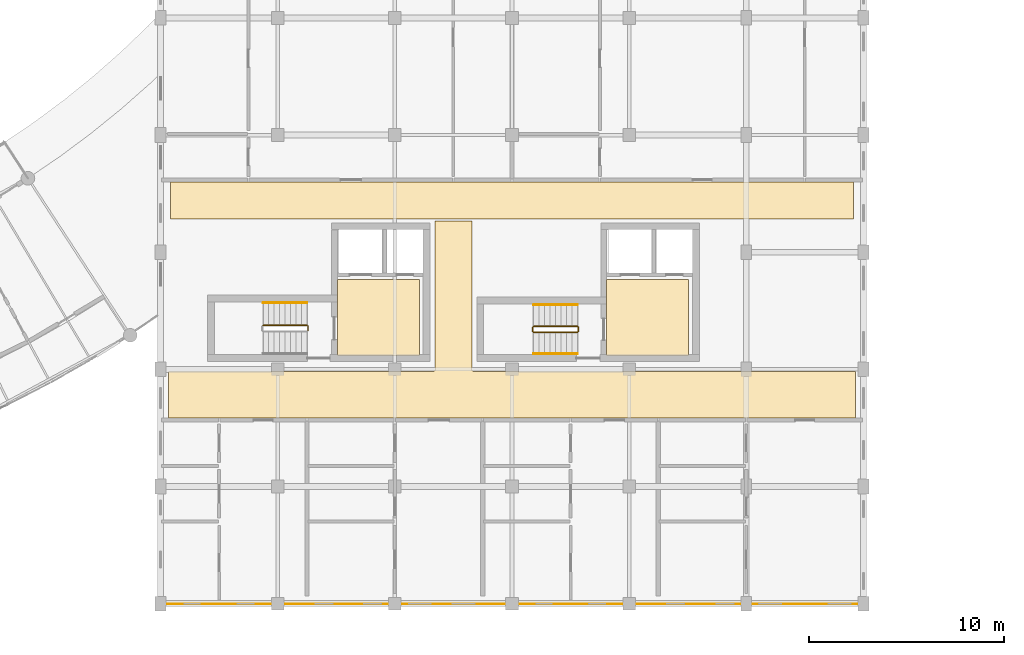
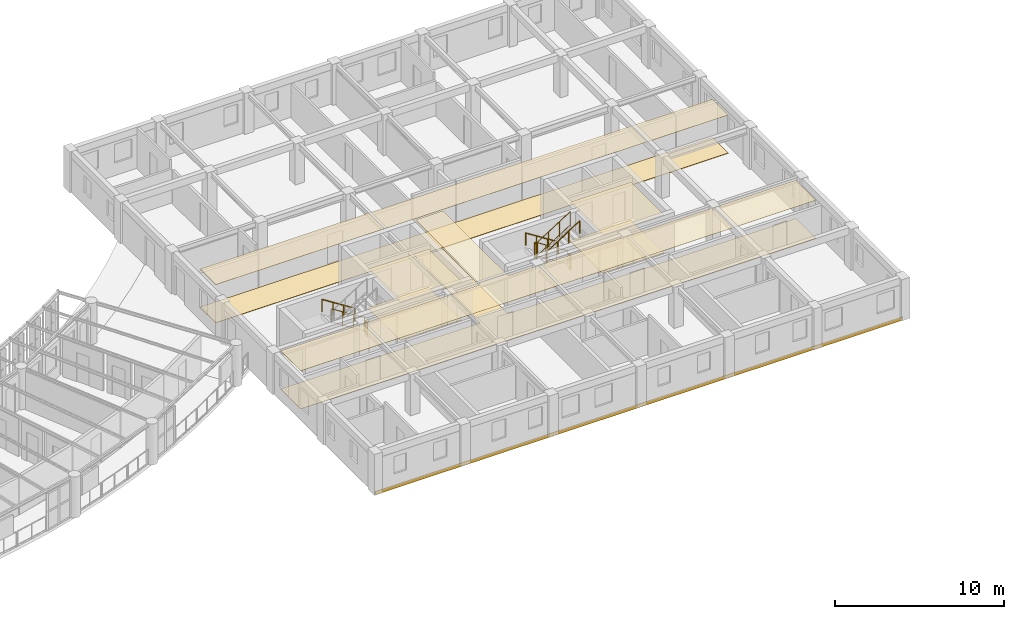
# One storey, part 93 of 100: 9 coverings, 9 railings.
"""IFC4 building model written with IfcOpenShell, lengths in metres."""

import ifcopenshell
import ifcopenshell.guid

model = None  # the IFC model being written
_history = None  # IfcOwnerHistory: only IFC2X3 demands one
_inside = {}  # id of a spatial element -> (the spatial element, [elements in it])
_under = {}  # id of a project, library or spatial element -> (it, [spatial elements below it])
_declared = {}  # id of a project -> (the project, [libraries it declares])
_typed = {}  # id of a type object -> (the type object, [elements of that type])
_made_of = {}  # id of a material, layer set ... -> (it, [elements and type objects made of it])


def new_model(schema):
    """Start an empty IFC model of exactly this schema.

    Asked for "IFC4X3", IfcOpenShell would pick the latest addendum, in which some entities
    have other attributes; the version numbers below select the first issue.
    IFC2X3 requires an IfcOwnerHistory on every rooted entity: one is made here for all.
    """
    global model, _history
    if schema == "IFC4X3":
        model = ifcopenshell.file(schema_version=(4, 3, 0, 0))
    else:
        model = ifcopenshell.file(schema=schema)
    _inside.clear()
    _under.clear()
    _declared.clear()
    _typed.clear()
    _made_of.clear()
    _history = None
    if model.schema == "IFC2X3":
        org = make("IfcOrganization", Name="unknown")
        user = make(
            "IfcPersonAndOrganization",
            ThePerson=make("IfcPerson", FamilyName="unknown"),
            TheOrganization=org,
        )
        app = make(
            "IfcApplication",
            ApplicationDeveloper=org,
            Version="unknown",
            ApplicationFullName="unknown",
            ApplicationIdentifier="unknown",
        )
        _history = make(
            "IfcOwnerHistory",
            OwningUser=user,
            OwningApplication=app,
            ChangeAction="ADDED",
            CreationDate=0,
        )
    return model


def make(cls, **values):
    """One entity of the class cls with the attributes given. An attribute that is None is left unset."""
    return model.create_entity(
        cls, **{name: value for name, value in values.items() if value is not None}
    )


def rooted(cls, **values):
    """An entity with a GlobalId (a new one), such as an element, a storey or a relation."""
    return make(cls, GlobalId=ifcopenshell.guid.new(), OwnerHistory=_history, **values)


def si_unit(unit_type, name, prefix=None):
    """IfcSIUnit, for example si_unit("LENGTHUNIT", "METRE", prefix="MILLI")."""
    return make("IfcSIUnit", UnitType=unit_type, Prefix=prefix, Name=name)


def assignment(units):
    """IfcUnitAssignment: the units of a project."""
    return None if units is None else make("IfcUnitAssignment", Units=units)


def point(xyz):
    """IfcCartesianPoint."""
    return None if xyz is None else make("IfcCartesianPoint", Coordinates=xyz)


def direction(xyz):
    """IfcDirection."""
    return None if xyz is None else make("IfcDirection", DirectionRatios=xyz)


def frame(location, z_axis=None, x_axis=None):
    """IfcAxis2Placement3D, a coordinate frame: its origin and axes. An axis left out is left unset."""
    return make(
        "IfcAxis2Placement3D",
        Location=point(location),
        Axis=direction(z_axis),
        RefDirection=direction(x_axis),
    )


def frame_2d(location, x_axis=None):
    """IfcAxis2Placement2D, a coordinate frame in the plane: its origin and x axis."""
    return make(
        "IfcAxis2Placement2D", Location=point(location), RefDirection=direction(x_axis)
    )


def origin():
    """The frame at (0, 0, 0) with its axes left unset."""
    return frame((0.0, 0.0, 0.0))


def origin_2d():
    """The frame at (0, 0) in the plane with its x axis left unset."""
    return frame_2d((0.0, 0.0))


def place(relative_to, where):
    """IfcLocalPlacement: puts the frame where relative to a parent placement (None: the world)."""
    return make(
        "IfcLocalPlacement", PlacementRelTo=relative_to, RelativePlacement=where
    )


def context(
    kind, dimensions, precision=None, world=None, true_north=None, identifier=None
):
    """IfcGeometricRepresentationContext, for example the 3D "Model" context."""
    return make(
        "IfcGeometricRepresentationContext",
        ContextIdentifier=identifier,
        ContextType=kind,
        CoordinateSpaceDimension=dimensions,
        Precision=precision,
        WorldCoordinateSystem=world,
        TrueNorth=true_north,
    )


def subcontext(parent, identifier, kind, view, scale=None):
    """IfcGeometricRepresentationSubContext, for example "Body" below "Model"."""
    return make(
        "IfcGeometricRepresentationSubContext",
        ContextIdentifier=identifier,
        ContextType=kind,
        ParentContext=parent,
        TargetScale=scale,
        TargetView=view,
    )


def project(units=None, contexts=None):
    """IfcProject with its units and contexts."""
    return rooted(
        "IfcProject",
        Name="project",
        RepresentationContexts=contexts,
        UnitsInContext=assignment(units),
    )


def spatial(cls, under=None, at=None, **own):
    """A site, building, storey or space (cls), placed at a placement, below another one or the project."""
    s = rooted(cls, ObjectPlacement=at, **own)
    if under is not None:
        _under.setdefault(under.id(), (under, []))[1].append(s)
    return s


def polyline(points):
    """IfcPolyline through the points."""
    return make("IfcPolyline", Points=[point(p) for p in points])


def profile(cls, at=None, kind="AREA", **sizes):
    """A parametric profile (cls). Its sizes go by their IFC names, for example OverallWidth=200.0."""
    return make(cls, ProfileType=kind, Position=at, **sizes)


def circle(**sizes):
    """IfcCircleProfileDef."""
    return profile("IfcCircleProfileDef", **sizes)


def outline(outer, holes=None, kind="AREA"):
    """IfcArbitraryClosedProfileDef: a profile drawn as a closed curve; with holes, ...WithVoids."""
    if holes is None:
        return make("IfcArbitraryClosedProfileDef", ProfileType=kind, OuterCurve=outer)
    return make(
        "IfcArbitraryProfileDefWithVoids",
        ProfileType=kind,
        OuterCurve=outer,
        InnerCurves=holes,
    )


def extrude(swept, where, along, depth):
    """IfcExtrudedAreaSolid: the profile swept, set in the frame where, extruded along a direction by depth."""
    return make(
        "IfcExtrudedAreaSolid",
        SweptArea=swept,
        Position=where,
        ExtrudedDirection=direction(along),
        Depth=depth,
    )


def shape(context_of_items, identifier, shape_type, items):
    """IfcShapeRepresentation: the items that make up one representation, for example the "Body"."""
    return make(
        "IfcShapeRepresentation",
        ContextOfItems=context_of_items,
        RepresentationIdentifier=identifier,
        RepresentationType=shape_type,
        Items=items,
    )


def material(Name=None, Category=None):
    """IfcMaterial."""
    return make("IfcMaterial", Name=Name, Category=Category)


def layer(
    of_material, thickness, ventilated=None, Name=None, Category=None, Priority=None
):
    """IfcMaterialLayer: one layer of a wall or slab, of a material (None: an air gap)."""
    return make(
        "IfcMaterialLayer",
        Material=of_material,
        LayerThickness=thickness,
        IsVentilated=ventilated,
        Name=Name,
        Category=Category,
        Priority=Priority,
    )


def layer_set(layers, Name=None):
    """IfcMaterialLayerSet."""
    return make("IfcMaterialLayerSet", MaterialLayers=layers, LayerSetName=Name)


def made_of(thing, what):
    """Note that an element or type object is made of a material, layer set ...; save() writes the relation."""
    if what is not None:
        _made_of.setdefault(what.id(), (what, []))[1].append(thing)
    return thing


def type_object(cls, material=None, **own):
    """A type object (cls), such as IfcWallType, which elements share."""
    return made_of(rooted(cls, **own), material)


def element(
    cls,
    number,
    at=None,
    inside=None,
    cuts=None,
    type_object=None,
    material=None,
    context=None,
    identifier="Body",
    shape_type=None,
    held_by="IfcProductDefinitionShape",
    body=None,
    shapes=None,
    **own,
):
    """One element of the class cls, such as IfcWall. Its Tag is "e" and its number.

    at: its placement. inside: the storey or other place that contains it. cuts: it is an
    opening in that element (IfcRelVoidsElement). A single representation is given by context,
    identifier, shape_type and body (its items); several are given by shapes. held_by: the class
    of the entity that holds the representations. save() writes the other relations.
    """
    e = rooted(cls, Tag="e%d" % number, ObjectPlacement=at, **own)
    if body is not None:
        shapes = [shape(context, identifier, shape_type, body)]
    if shapes is not None:
        e.Representation = make(held_by, Representations=shapes)
    if inside is not None:
        _inside.setdefault(inside.id(), (inside, []))[1].append(e)
    if cuts is not None:
        rooted(
            "IfcRelVoidsElement", RelatingBuildingElement=cuts, RelatedOpeningElement=e
        )
    if type_object is not None:
        _typed.setdefault(type_object.id(), (type_object, []))[1].append(e)
    return made_of(e, material)


def aggregate(whole, parts):
    """IfcRelAggregates: a whole, such as a stair, and the parts it consists of."""
    return rooted("IfcRelAggregates", RelatingObject=whole, RelatedObjects=parts)


def save(model, path):
    """Write the relations noted so far, then the file.

    IfcRelAggregates (storeys below a building ...), IfcRelContainedInSpatialStructure (elements
    in a storey), IfcRelDefinesByType, IfcRelAssociatesMaterial and IfcRelDeclares: one each for
    every whole, place, type object, material and project.
    """
    for whole, parts in _under.values():
        aggregate(whole, parts)
    for where, things in _inside.values():
        rooted(
            "IfcRelContainedInSpatialStructure",
            RelatedElements=things,
            RelatingStructure=where,
        )
    for kind, things in _typed.values():
        rooted("IfcRelDefinesByType", RelatedObjects=things, RelatingType=kind)
    for what, things in _made_of.values():
        rooted("IfcRelAssociatesMaterial", RelatedObjects=things, RelatingMaterial=what)
    for by, libraries in _declared.values():
        rooted("IfcRelDeclares", RelatingContext=by, RelatedDefinitions=libraries)
    model.write(path)


model = new_model("IFC4")

# Units and contexts
model_context = context("Model", 3, precision=1e-05, world=origin(), true_north=direction((0.0, 1.0)))
body_context = subcontext(model_context, "Body", "Model", "MODEL_VIEW")
ifc_project = project(units=[si_unit("LENGTHUNIT", "METRE"), si_unit("AREAUNIT", "SQUARE_METRE"), si_unit("VOLUMEUNIT", "CUBIC_METRE"), si_unit("PLANEANGLEUNIT", "RADIAN"), si_unit("MASSUNIT", "GRAM", prefix="KILO"), si_unit("POWERUNIT", "WATT"), si_unit("THERMODYNAMICTEMPERATUREUNIT", "KELVIN")], contexts=[model_context])

# Site, building, storey
site_placement = place(None, origin())
site = spatial("IfcSite", under=ifc_project, at=site_placement, CompositionType="ELEMENT")
building_placement = place(site_placement, origin())
building = spatial("IfcBuilding", under=site, at=building_placement, Name="Ruvembo Vaulted Housing Court", CompositionType="ELEMENT")
storey_placement = place(building_placement, frame((0.0, 0.0, 10.89990234375)))
storey = spatial("IfcBuildingStorey", under=building, at=storey_placement, Name="L03", CompositionType="ELEMENT", Elevation=10.89990234375)

# Coverings
ifc_material_1 = material(Name="Perforated Mineral-Fibre Acoustic Tile", Category="gypsum")
ifc_layer_1 = layer(ifc_material_1, 0.02001953125, Name="Perforated Mineral-Fibre Acoustic Tile")
ifc_layer_set_1 = layer_set([ifc_layer_1], Name="Perforated Mineral-Fibre Acoustic Tile")
covering_type_1 = type_object("IfcCoveringType", Name="COV-CEIL-ACOUST", PredefinedType="CEILING", material=ifc_layer_set_1)
covering_1_placement = place(storey_placement, frame((0.0, 0.0, 2.75)))
element("IfcCovering", 1, at=covering_1_placement, inside=storey, type_object=covering_type_1, Name="Protected Core Lobby C1 Ceiling", PredefinedType="CEILING", context=body_context, shape_type="SweptSolid", body=[
    extrude(outline(polyline([(115.25, 16.60009765625), (111.050048828125, 16.60009765625), (111.050048828125, 12.699951171875), (115.25, 12.699951171875), (115.25, 16.60009765625)])), origin(), (0.0, 0.0, 1.0), 0.02001953125),
])
covering_2_placement = place(storey_placement, frame((0.0, 0.0, 2.75)))
element("IfcCovering", 2, at=covering_2_placement, inside=storey, type_object=covering_type_1, Name="Protected Core Lobby C2 Ceiling", PredefinedType="CEILING", context=body_context, shape_type="SweptSolid", body=[
    extrude(outline(polyline([(129.050048828125, 16.60009765625), (124.85009765625, 16.60009765625), (124.85009765625, 12.699951171875), (129.050048828125, 12.699951171875), (129.050048828125, 16.60009765625)])), origin(), (0.0, 0.0, 1.0), 0.02001953125),
])
covering_3_placement = place(storey_placement, frame((0.0, 0.0, 2.75)))
element("IfcCovering", 3, at=covering_3_placement, inside=storey, type_object=covering_type_1, Name="Block C L03 Corridor Ceiling", PredefinedType="CEILING", context=body_context, shape_type="SweptSolid", body=[
    extrude(outline(polyline([(137.590087890625, 9.510009765625), (137.590087890625, 11.889892578125), (118.050048828125, 11.889892578125), (118.039306640625, 11.890380859375), (118.028564453125, 11.89208984375), (118.01806640625, 11.894775390625), (118.0078125, 11.8984375), (117.998046875, 11.903076171875), (117.989013671875, 11.908447265625), (117.980224609375, 11.9150390625), (117.97216796875, 11.922119140625), (117.965087890625, 11.93017578125), (117.95849609375, 11.93896484375), (117.952880859375, 11.947998046875), (117.948486328125, 11.9580078125), (117.944580078125, 11.968017578125), (117.942138671875, 11.978515625), (117.9404296875, 11.9892578125), (117.93994140625, 12.0), (117.93994140625, 19.590087890625), (116.06005859375, 19.590087890625), (116.06005859375, 12.0), (116.0595703125, 11.9892578125), (116.057861328125, 11.978515625), (116.055419921875, 11.968017578125), (116.051513671875, 11.9580078125), (116.047119140625, 11.947998046875), (116.04150390625, 11.93896484375), (116.034912109375, 11.93017578125), (116.02783203125, 11.922119140625), (116.019775390625, 11.9150390625), (116.010986328125, 11.908447265625), (116.001953125, 11.903076171875), (115.9921875, 11.8984375), (115.98193359375, 11.894775390625), (115.971435546875, 11.89208984375), (115.960693359375, 11.890380859375), (115.949951171875, 11.889892578125), (102.409912109375, 11.889892578125), (102.409912109375, 9.510009765625), (137.590087890625, 9.510009765625)])), origin(), (0.0, 0.0, 1.0), 0.02001953125),
])
covering_4_placement = place(storey_placement, frame((0.0, 0.0, 2.75)))
element("IfcCovering", 4, at=covering_4_placement, inside=storey, type_object=covering_type_1, Name="Block C L03 North Sub-Corridor Ceiling", PredefinedType="CEILING", context=body_context, shape_type="SweptSolid", body=[
    extrude(outline(polyline([(102.510009765625, 19.7099609375), (137.489990234375, 19.7099609375), (137.489990234375, 21.590087890625), (102.510009765625, 21.590087890625), (102.510009765625, 19.7099609375)])), origin(), (0.0, 0.0, 1.0), 0.02001953125),
])
ifc_material_2 = material(Name="Lime-Cement Mineral Render", Category="plaster")
ifc_layer_2 = layer(ifc_material_2, 0.02490234375, Name="Lime-Cement Mineral Render")
ifc_layer_set_2 = layer_set([ifc_layer_2], Name="Lime-Cement Mineral Render")
covering_type_2 = type_object("IfcCoveringType", Name="COV-CLAD-RENDER", PredefinedType="CLADDING", material=ifc_layer_set_2)
covering_5_placement = place(storey_placement, frame((0.0, 0.0, -0.25)))
element("IfcCovering", 5, at=covering_5_placement, inside=storey, type_object=covering_type_2, Name="Block C L03 Mineral Render Fascia Band", PredefinedType="CLADDING", context=body_context, shape_type="SweptSolid", body=[
    extrude(outline(polyline([(102.0, -0.030029296875), (138.0, -0.030029296875), (138.0, 0.0), (102.0, 0.0), (102.0, -0.030029296875)])), origin(), (0.0, 0.0, 1.0), 0.25),
])
ifc_material_3 = material(Name="Polished Cement-Aggregate Terrazzo", Category="stone")
ifc_layer_3 = layer(ifc_material_3, 0.02197265625, Name="Polished Cement-Aggregate Terrazzo")
ifc_layer_set_3 = layer_set([ifc_layer_3], Name="Polished Cement-Aggregate Terrazzo")
covering_type_3 = type_object("IfcCoveringType", Name="COV-FLR-CERAMIC", PredefinedType="FLOORING", material=ifc_layer_set_3)
covering_6_placement = place(storey_placement, origin())
element("IfcCovering", 6, at=covering_6_placement, inside=storey, type_object=covering_type_3, Name="Protected Core Lobby C1 Flooring", PredefinedType="FLOORING", context=body_context, shape_type="SweptSolid", body=[
    extrude(outline(polyline([(115.25, 16.60009765625), (111.050048828125, 16.60009765625), (111.050048828125, 12.699951171875), (115.25, 12.699951171875), (115.25, 16.60009765625)])), origin(), (0.0, 0.0, 1.0), 0.022216796875),
])
covering_7_placement = place(storey_placement, origin())
element("IfcCovering", 7, at=covering_7_placement, inside=storey, type_object=covering_type_3, Name="Protected Core Lobby C2 Flooring", PredefinedType="FLOORING", context=body_context, shape_type="SweptSolid", body=[
    extrude(outline(polyline([(129.050048828125, 16.60009765625), (124.85009765625, 16.60009765625), (124.85009765625, 12.699951171875), (129.050048828125, 12.699951171875), (129.050048828125, 16.60009765625)])), origin(), (0.0, 0.0, 1.0), 0.022216796875),
])
covering_8_placement = place(storey_placement, origin())
element("IfcCovering", 8, at=covering_8_placement, inside=storey, type_object=covering_type_3, Name="Block C L03 Corridor Flooring", PredefinedType="FLOORING", context=body_context, shape_type="SweptSolid", body=[
    extrude(outline(polyline([(137.590087890625, 9.510009765625), (137.590087890625, 11.889892578125), (118.050048828125, 11.889892578125), (118.039306640625, 11.890380859375), (118.028564453125, 11.89208984375), (118.01806640625, 11.894775390625), (118.0078125, 11.8984375), (117.998046875, 11.903076171875), (117.989013671875, 11.908447265625), (117.980224609375, 11.9150390625), (117.97216796875, 11.922119140625), (117.965087890625, 11.93017578125), (117.95849609375, 11.93896484375), (117.952880859375, 11.947998046875), (117.948486328125, 11.9580078125), (117.944580078125, 11.968017578125), (117.942138671875, 11.978515625), (117.9404296875, 11.9892578125), (117.93994140625, 12.0), (117.93994140625, 19.590087890625), (116.06005859375, 19.590087890625), (116.06005859375, 12.0), (116.0595703125, 11.9892578125), (116.057861328125, 11.978515625), (116.055419921875, 11.968017578125), (116.051513671875, 11.9580078125), (116.047119140625, 11.947998046875), (116.04150390625, 11.93896484375), (116.034912109375, 11.93017578125), (116.02783203125, 11.922119140625), (116.019775390625, 11.9150390625), (116.010986328125, 11.908447265625), (116.001953125, 11.903076171875), (115.9921875, 11.8984375), (115.98193359375, 11.894775390625), (115.971435546875, 11.89208984375), (115.960693359375, 11.890380859375), (115.949951171875, 11.889892578125), (102.409912109375, 11.889892578125), (102.409912109375, 9.510009765625), (137.590087890625, 9.510009765625)])), origin(), (0.0, 0.0, 1.0), 0.022216796875),
])
covering_9_placement = place(storey_placement, origin())
element("IfcCovering", 9, at=covering_9_placement, inside=storey, type_object=covering_type_3, Name="Block C L03 North Sub-Corridor Flooring", PredefinedType="FLOORING", context=body_context, shape_type="SweptSolid", body=[
    extrude(outline(polyline([(102.510009765625, 19.7099609375), (137.489990234375, 19.7099609375), (137.489990234375, 21.590087890625), (102.510009765625, 21.590087890625), (102.510009765625, 19.7099609375)])), origin(), (0.0, 0.0, 1.0), 0.022216796875),
])

# Railings
ifc_material_4 = material(Name="Painted Galvanised Steel S275", Category="steel")
ifc_layer_4 = layer(ifc_material_4, 0.06005859375, Name="Painted Galvanised Steel S275")
ifc_layer_set_4 = layer_set([ifc_layer_4], Name="Painted Galvanised Steel S275")
railing_type_1 = type_object("IfcRailingType", Name="RL-STAIR-GR1100", PredefinedType="GUARDRAIL", material=ifc_layer_set_4)
railing_1_placement = place(storey_placement, frame((109.5, 14.25, 0.177978515625)))
element("IfcRailing", 10, at=railing_1_placement, inside=storey, type_object=railing_type_1, Name="L03 ST-C1 stair guard 1", PredefinedType="GUARDRAIL", context=body_context, shape_type="SweptSolid", body=[
    extrude(circle(Radius=0.02392578125, at=origin_2d()), frame((0.0, 0.0, 1.076171875), z_axis=(-0.8442293374, 0.0, 0.53598211339), x_axis=(0.0, -1.0, 0.0)), (0.0, 0.0, 1.0), 2.6533203125),
    extrude(circle(Radius=0.01806640625, at=origin_2d()), frame((0.0, 0.0, 0.1201171875), z_axis=(-0.8442293374, 0.0, 0.53598211339), x_axis=(0.0, -1.0, 0.0)), (0.0, 0.0, 1.0), 2.6533203125),
    extrude(circle(Radius=0.02099609375, at=origin_2d()), origin(), (0.0, 0.0, 1.0), 1.052001953125),
    extrude(circle(Radius=0.02099609375, at=origin_2d()), frame((-0.74658203125, 0.0, 0.47412109375)), (0.0, 0.0, 1.0), 1.052001953125),
    extrude(circle(Radius=0.02099609375, at=origin_2d()), frame((-1.493408203125, 0.0, 0.947998046875)), (0.0, 0.0, 1.0), 1.052001953125),
    extrude(circle(Radius=0.02099609375, at=origin_2d()), frame((-2.239990234375, 0.0, 1.422119140625)), (0.0, 0.0, 1.0), 1.052001953125),
])
railing_2_placement = place(storey_placement, frame((109.550048828125, 14.199951171875, 0.0)))
element("IfcRailing", 11, at=railing_2_placement, inside=storey, type_object=railing_type_1, Name="L03 ST-C1 stair guard 4", PredefinedType="GUARDRAIL", context=body_context, shape_type="SweptSolid", body=[
    extrude(circle(Radius=0.02392578125, at=origin_2d()), frame((0.0, 0.0, 1.076171875), z_axis=(0.0, -1.0, 0.0), x_axis=(1.0, 0.0, 0.0)), (0.0, 0.0, 1.0), 0.199951171875),
    extrude(circle(Radius=0.01806640625, at=origin_2d()), frame((0.0, 0.0, 0.1201171875), z_axis=(0.0, -1.0, 0.0), x_axis=(1.0, 0.0, 0.0)), (0.0, 0.0, 1.0), 0.199951171875),
    extrude(circle(Radius=0.02099609375, at=origin_2d()), origin(), (0.0, 0.0, 1.0), 1.052001953125),
    extrude(circle(Radius=0.02099609375, at=origin_2d()), frame((0.0, -0.199951171875, 0.0)), (0.0, 0.0, 1.0), 1.052001953125),
])
railing_3_placement = place(storey_placement, frame((123.35009765625, 14.199951171875, 0.177978515625)))
element("IfcRailing", 12, at=railing_3_placement, inside=storey, type_object=railing_type_1, Name="L03 ST-C2 stair guard 1", PredefinedType="GUARDRAIL", context=body_context, shape_type="SweptSolid", body=[
    extrude(circle(Radius=0.02392578125, at=origin_2d()), frame((0.0, 0.0, 1.076171875), z_axis=(-0.8442293374, 0.0, 0.53598211339), x_axis=(0.0, -1.0, 0.0)), (0.0, 0.0, 1.0), 2.6533203125),
    extrude(circle(Radius=0.01806640625, at=origin_2d()), frame((0.0, 0.0, 0.1201171875), z_axis=(-0.8442293374, 0.0, 0.53598211339), x_axis=(0.0, -1.0, 0.0)), (0.0, 0.0, 1.0), 2.6533203125),
    extrude(circle(Radius=0.02099609375, at=origin_2d()), origin(), (0.0, 0.0, 1.0), 1.052001953125),
    extrude(circle(Radius=0.02099609375, at=origin_2d()), frame((-0.74658203125, 0.0, 0.47412109375)), (0.0, 0.0, 1.0), 1.052001953125),
    extrude(circle(Radius=0.02099609375, at=origin_2d()), frame((-1.493408203125, 0.0, 0.947998046875)), (0.0, 0.0, 1.0), 1.052001953125),
    extrude(circle(Radius=0.02099609375, at=origin_2d()), frame((-2.239990234375, 0.0, 1.422119140625)), (0.0, 0.0, 1.0), 1.052001953125),
])
railing_4_placement = place(storey_placement, frame((121.06005859375, 14.14990234375, 1.60009765625)))
element("IfcRailing", 13, at=railing_4_placement, inside=storey, type_object=railing_type_1, Name="L03 ST-C2 stair guard 2", PredefinedType="GUARDRAIL", context=body_context, shape_type="SweptSolid", body=[
    extrude(circle(Radius=0.02392578125, at=origin_2d()), frame((0.0, 0.0, 1.076171875), z_axis=(0.0, -1.0, 0.0), x_axis=(1.0, 0.0, 0.0)), (0.0, 0.0, 1.0), 0.199951171875),
    extrude(circle(Radius=0.01806640625, at=origin_2d()), frame((0.0, 0.0, 0.1201171875), z_axis=(0.0, -1.0, 0.0), x_axis=(1.0, 0.0, 0.0)), (0.0, 0.0, 1.0), 0.199951171875),
    extrude(circle(Radius=0.02099609375, at=origin_2d()), origin(), (0.0, 0.0, 1.0), 1.052001953125),
    extrude(circle(Radius=0.02099609375, at=origin_2d()), frame((0.0, -0.199951171875, 0.0)), (0.0, 0.0, 1.0), 1.052001953125),
])
railing_5_placement = place(storey_placement, frame((121.110107421875, 13.89990234375, 1.77783203125)))
element("IfcRailing", 14, at=railing_5_placement, inside=storey, type_object=railing_type_1, Name="L03 ST-C2 stair guard 3", PredefinedType="GUARDRAIL", context=body_context, shape_type="SweptSolid", body=[
    extrude(circle(Radius=0.02392578125, at=origin_2d()), frame((0.0, 0.0, 1.076171875), z_axis=(0.84418770128, 0.0, 0.536047689118), x_axis=(0.0, 1.0, 0.0)), (0.0, 0.0, 1.0), 2.6533203125),
    extrude(circle(Radius=0.01806640625, at=origin_2d()), frame((0.0, 0.0, 0.1201171875), z_axis=(0.84418770128, 0.0, 0.536047689118), x_axis=(0.0, 1.0, 0.0)), (0.0, 0.0, 1.0), 2.6533203125),
    extrude(circle(Radius=0.02099609375, at=origin_2d()), origin(), (0.0, 0.0, 1.0), 1.052001953125),
    extrude(circle(Radius=0.02099609375, at=origin_2d()), frame((0.74658203125, 0.0, 0.47412109375)), (0.0, 0.0, 1.0), 1.052001953125),
    extrude(circle(Radius=0.02099609375, at=origin_2d()), frame((1.493408203125, 0.0, 0.9482421875)), (0.0, 0.0, 1.0), 1.052001953125),
    extrude(circle(Radius=0.02099609375, at=origin_2d()), frame((2.239990234375, 0.0, 1.42236328125)), (0.0, 0.0, 1.0), 1.052001953125),
])
railing_6_placement = place(storey_placement, frame((123.39990234375, 14.14990234375, 0.0)))
element("IfcRailing", 15, at=railing_6_placement, inside=storey, type_object=railing_type_1, Name="L03 ST-C2 stair guard 4", PredefinedType="GUARDRAIL", context=body_context, shape_type="SweptSolid", body=[
    extrude(circle(Radius=0.02392578125, at=origin_2d()), frame((0.0, 0.0, 1.076171875), z_axis=(0.0, -1.0, 0.0), x_axis=(1.0, 0.0, 0.0)), (0.0, 0.0, 1.0), 0.199951171875),
    extrude(circle(Radius=0.01806640625, at=origin_2d()), frame((0.0, 0.0, 0.1201171875), z_axis=(0.0, -1.0, 0.0), x_axis=(1.0, 0.0, 0.0)), (0.0, 0.0, 1.0), 0.199951171875),
    extrude(circle(Radius=0.02099609375, at=origin_2d()), origin(), (0.0, 0.0, 1.0), 1.052001953125),
    extrude(circle(Radius=0.02099609375, at=origin_2d()), frame((0.0, -0.199951171875, 0.0)), (0.0, 0.0, 1.0), 1.052001953125),
])
ifc_material_5 = material(Name="Brushed Stainless Steel 304", Category="steel")
ifc_layer_5 = layer(ifc_material_5, 0.050048828125, Name="Brushed Stainless Steel 304")
ifc_layer_set_5 = layer_set([ifc_layer_5], Name="Brushed Stainless Steel 304")
railing_type_2 = type_object("IfcRailingType", Name="RL-STAIR-HR920", PredefinedType="HANDRAIL", material=ifc_layer_set_5)
for number, where, name in (
    (16, (109.5, 15.39990234375, 0.359375), "L03 ST-C1 stair handrail 1"),
    (17, (123.35009765625, 15.300048828125, 0.359375), "L03 ST-C2 stair handrail 1"),
):
    element("IfcRailing", number, at=place(storey_placement, frame(where)), inside=storey, type_object=railing_type_2, Name=name, PredefinedType="HANDRAIL", context=body_context, shape_type="SweptSolid", body=[
        extrude(circle(Radius=0.02392578125, at=origin_2d()), frame((0.0, 0.0, 0.8759765625), z_axis=(-0.8442293374, 0.0, 0.53598211339), x_axis=(0.0, -1.0, 0.0)), (0.0, 0.0, 1.0), 2.6533203125),
        extrude(circle(Radius=0.02099609375, at=origin_2d()), origin(), (0.0, 0.0, 1.0), 0.851806640625),
        extrude(circle(Radius=0.02099609375, at=origin_2d()), frame((-0.74658203125, 0.0, 0.47412109375)), (0.0, 0.0, 1.0), 0.851806640625),
        extrude(circle(Radius=0.02099609375, at=origin_2d()), frame((-1.493408203125, 0.0, 0.947998046875)), (0.0, 0.0, 1.0), 0.851806640625),
        extrude(circle(Radius=0.02099609375, at=origin_2d()), frame((-2.239990234375, 0.0, 1.422119140625)), (0.0, 0.0, 1.0), 0.851806640625),
    ])
railing_7_placement = place(storey_placement, frame((121.110107421875, 12.800048828125, 1.95947265625)))
element("IfcRailing", 18, at=railing_7_placement, inside=storey, type_object=railing_type_2, Name="L03 ST-C2 stair handrail 2", PredefinedType="HANDRAIL", context=body_context, shape_type="SweptSolid", body=[
    extrude(circle(Radius=0.02392578125, at=origin_2d()), frame((0.0, 0.0, 0.8759765625), z_axis=(0.8442293374, 0.0, 0.53598211339), x_axis=(0.0, 1.0, 0.0)), (0.0, 0.0, 1.0), 2.6533203125),
    extrude(circle(Radius=0.02099609375, at=origin_2d()), origin(), (0.0, 0.0, 1.0), 0.851806640625),
    extrude(circle(Radius=0.02099609375, at=origin_2d()), frame((0.74658203125, 0.0, 0.47412109375)), (0.0, 0.0, 1.0), 0.851806640625),
    extrude(circle(Radius=0.02099609375, at=origin_2d()), frame((1.493408203125, 0.0, 0.947998046875)), (0.0, 0.0, 1.0), 0.851806640625),
    extrude(circle(Radius=0.02099609375, at=origin_2d()), frame((2.239990234375, 0.0, 1.422119140625)), (0.0, 0.0, 1.0), 0.851806640625),
])

save(model, "model.ifc")
